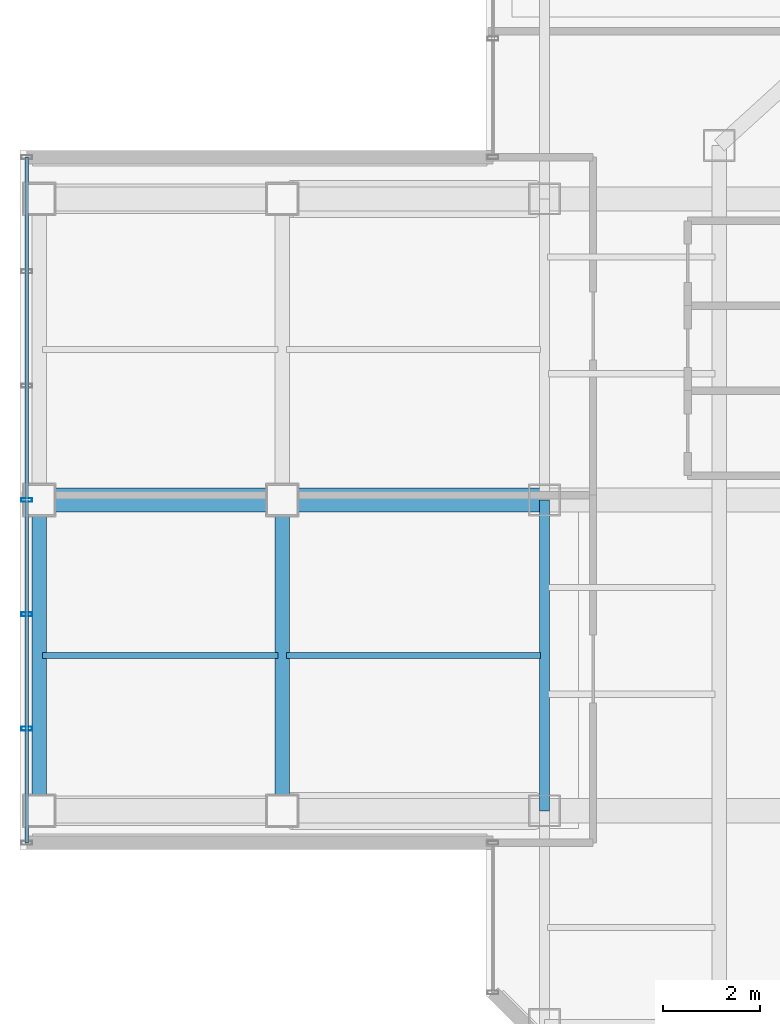
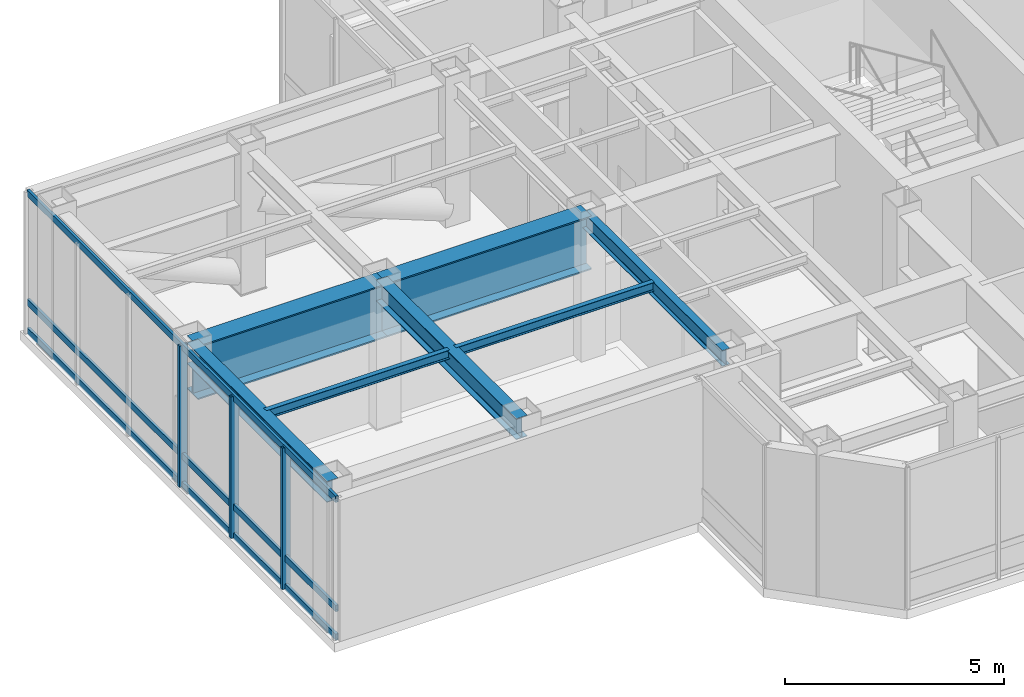
# One storey, part 5 of 22: 7 beams, 6 members, 1 element without a shape of its own.
"""IFC4 building model written with IfcOpenShell, lengths in metres."""

from ifc_helpers import new_model, si_unit, direction, frame, origin, origin_2d, place, context, subcontext, project, spatial, hollow_rectangle, i_section, extrude, material, layer, layer_set, material_profile, profile_set, type_object, element, aggregate, save


model = new_model("IFC4")

# Units and contexts
model_context = context("Model", 3, precision=1e-05, world=origin(), true_north=direction((0.0, 1.0)))
body_context = subcontext(model_context, "Body", "Model", "MODEL_VIEW")
ifc_project = project(units=[si_unit("LENGTHUNIT", "METRE"), si_unit("AREAUNIT", "SQUARE_METRE"), si_unit("VOLUMEUNIT", "CUBIC_METRE"), si_unit("PLANEANGLEUNIT", "RADIAN"), si_unit("MASSUNIT", "GRAM", prefix="KILO")], contexts=[model_context])

# Site, building, storey
site_placement = place(None, origin())
site = spatial("IfcSite", under=ifc_project, at=site_placement, CompositionType="ELEMENT")
building_placement = place(site_placement, origin())
building = spatial("IfcBuilding", under=site, at=building_placement, Name="Hatsunagi Terrace Concourse", CompositionType="ELEMENT")
storey_placement = place(building_placement, frame((0.0, 0.0, 257.550048828125)))
storey = spatial("IfcBuildingStorey", under=building, at=storey_placement, Name="L68", CompositionType="ELEMENT", Elevation=257.550048828125)

# Beams
ifc_material_1 = material(Name="Steel SN490B", Category="steel")
ifc_material_profile_1 = material_profile(ifc_material_1, i_section(OverallWidth=0.125, OverallDepth=0.25, WebThickness=0.006103515625, FlangeThickness=0.009033203125, FilletRadius=0.008056640625, at=origin_2d()), Name="H-250x125x6x9")
ifc_profile_set_1 = profile_set([ifc_material_profile_1], Name="Steel SN490B")
beam_type_1 = type_object("IfcBeamType", Name="CrownJoist_H_250x125", PredefinedType="JOIST", material=ifc_profile_set_1)
beam_1_placement = place(storey_placement, frame((19.114990234375, 32.800048828125, 3.824951171875), z_axis=(-1.0, 0.0, 0.0), x_axis=(0.0, -1.0, 0.0)))
element("IfcBeam", 1, at=beam_1_placement, inside=storey, type_object=beam_type_1, Name="Beam J-04 J-L68-SL1-328", PredefinedType="JOIST", context=body_context, shape_type="SweptSolid", body=[
    extrude(i_section(OverallWidth=0.125, OverallDepth=0.25, WebThickness=0.006103515625, FlangeThickness=0.009033203125, FilletRadius=0.008056640625, at=origin_2d()), origin(), (0.0, 0.0, 1.0), 5.22998046875),
])
beam_2_placement = place(storey_placement, frame((13.715087890625, 32.800048828125, 3.824951171875), z_axis=(-1.0, 0.0, 0.0), x_axis=(0.0, -1.0, 0.0)))
element("IfcBeam", 2, at=beam_2_placement, inside=storey, type_object=beam_type_1, Name="Beam J-04 J-L68-SL2-328", PredefinedType="JOIST", context=body_context, shape_type="SweptSolid", body=[
    extrude(i_section(OverallWidth=0.125, OverallDepth=0.25, WebThickness=0.006103515625, FlangeThickness=0.009033203125, FilletRadius=0.008056640625, at=origin_2d()), origin(), (0.0, 0.0, 1.0), 4.85009765625),
])

# Curtain wall, members
ifc_material_2 = material(Name="Anodised Aluminium Alloy 6063-T5", Category="aluminium")
ifc_layer = layer(ifc_material_2, 0.199951171875)
ifc_layer_set = layer_set([ifc_layer], Name="SkyLobbyAtrium_CW05")
curtain_wall_type = type_object("IfcCurtainWallType", Name="SkyLobbyAtrium_CW05", PredefinedType="NOTDEFINED", material=ifc_layer_set)
curtain_wall_placement = place(storey_placement, origin())
curtain_wall = element("IfcCurtainWall", 3, at=curtain_wall_placement, inside=storey, type_object=curtain_wall_type, Name="Unitised Curtain Wall CW-05 CW-L68-15", PredefinedType="NOTDEFINED")
ifc_material_3 = material(Name="Anodised Aluminium Alloy 6063-T5", Category="aluminium")
ifc_material_profile_2 = material_profile(ifc_material_3, hollow_rectangle(XDim=0.080078125, YDim=0.219970703125, WallThickness=0.0048828125, at=origin_2d()), Name="ALU-MUL-220x80x5")
ifc_profile_set_2 = profile_set([ifc_material_profile_2], Name="Anodised Aluminium Alloy 6063-T5")
member_type_1 = type_object("IfcMemberType", Name="CurtainWallMullion_Heavy_220x80", PredefinedType="MULLION", material=ifc_profile_set_2)
member_1_placement = place(storey_placement, frame((8.5400390625, 31.29296875, 0.0), z_axis=(0.0, 0.0, 1.0), x_axis=(0.0, 1.0, 0.0)))
member_1 = element("IfcMember", 4, at=member_1_placement, type_object=member_type_1, Name="Curtain Wall Mullion MUL-01", PredefinedType="MULLION", context=body_context, shape_type="SweptSolid", body=[
    extrude(hollow_rectangle(XDim=0.080078125, YDim=0.219970703125, WallThickness=0.0048828125, at=origin_2d()), origin(), (0.0, 0.0, 1.0), 3.949951171875),
])
member_2_placement = place(storey_placement, frame((8.5400390625, 33.64697265625, 0.0), z_axis=(0.0, 0.0, 1.0), x_axis=(0.0, 1.0, 0.0)))
member_2 = element("IfcMember", 5, at=member_2_placement, type_object=member_type_1, Name="Curtain Wall Mullion MUL-01", PredefinedType="MULLION", context=body_context, shape_type="SweptSolid", body=[
    extrude(hollow_rectangle(XDim=0.080078125, YDim=0.219970703125, WallThickness=0.0048828125, at=origin_2d()), origin(), (0.0, 0.0, 1.0), 3.949951171875),
])
member_3_placement = place(storey_placement, frame((8.5400390625, 36.0, 0.0), z_axis=(0.0, 0.0, 1.0), x_axis=(0.0, 1.0, 0.0)))
member_3 = element("IfcMember", 6, at=member_3_placement, type_object=member_type_1, Name="Curtain Wall Mullion MUL-01", PredefinedType="MULLION", context=body_context, shape_type="SweptSolid", body=[
    extrude(hollow_rectangle(XDim=0.080078125, YDim=0.219970703125, WallThickness=0.0048828125, at=origin_2d()), origin(), (0.0, 0.0, 1.0), 3.949951171875),
])
ifc_material_4 = material(Name="Anodised Aluminium Alloy 6063-T5", Category="aluminium")
ifc_material_profile_3 = material_profile(ifc_material_4, hollow_rectangle(XDim=0.070068359375, YDim=0.179931640625, WallThickness=0.00390625, at=origin_2d()), Name="ALU-TRN-180x70x4")
ifc_profile_set_3 = profile_set([ifc_material_profile_3], Name="Anodised Aluminium Alloy 6063-T5")
member_type_2 = type_object("IfcMemberType", Name="CurtainWallTransom_Heavy_180x70", PredefinedType="USERDEFINED", material=ifc_profile_set_3)
member_4_placement = place(storey_placement, frame((8.5400390625, 28.93994140625, 0.050048828125), z_axis=(0.0, 1.0, 0.0), x_axis=(-1.0, 0.0, 0.0)))
member_4 = element("IfcMember", 7, at=member_4_placement, type_object=member_type_2, Name="Curtain Wall Transom TRN-01", ObjectType="TRANSOM", PredefinedType="USERDEFINED", context=body_context, shape_type="SweptSolid", body=[
    extrude(hollow_rectangle(XDim=0.070068359375, YDim=0.179931640625, WallThickness=0.00390625, at=origin_2d()), origin(), (0.0, 0.0, 1.0), 14.1201171875),
])
member_5_placement = place(storey_placement, frame((8.5400390625, 28.93994140625, 0.849853515625), z_axis=(0.0, 1.0, 0.0), x_axis=(-1.0, 0.0, 0.0)))
member_5 = element("IfcMember", 8, at=member_5_placement, type_object=member_type_2, Name="Curtain Wall Transom TRN-01", ObjectType="TRANSOM", PredefinedType="USERDEFINED", context=body_context, shape_type="SweptSolid", body=[
    extrude(hollow_rectangle(XDim=0.070068359375, YDim=0.179931640625, WallThickness=0.00390625, at=origin_2d()), origin(), (0.0, 0.0, 1.0), 14.1201171875),
])
member_6_placement = place(storey_placement, frame((8.5400390625, 28.93994140625, 3.89990234375), z_axis=(0.0, 1.0, 0.0), x_axis=(-1.0, 0.0, 0.0)))
member_6 = element("IfcMember", 9, at=member_6_placement, type_object=member_type_2, Name="Curtain Wall Transom TRN-01", ObjectType="TRANSOM", PredefinedType="USERDEFINED", context=body_context, shape_type="SweptSolid", body=[
    extrude(hollow_rectangle(XDim=0.070068359375, YDim=0.179931640625, WallThickness=0.00390625, at=origin_2d()), origin(), (0.0, 0.0, 1.0), 14.1201171875),
])
aggregate(curtain_wall, [member_1, member_2, member_3, member_4, member_5, member_6])

# Beams
ifc_material_5 = material(Name="Steel SN490B", Category="steel")
ifc_material_profile_4 = material_profile(ifc_material_5, i_section(OverallWidth=0.300048828125, OverallDepth=0.587890625, WebThickness=0.011962890625, FlangeThickness=0.02001953125, FilletRadius=0.01806640625, at=origin_2d()), Name="H-588x300x12x20")
ifc_profile_set_4 = profile_set([ifc_material_profile_4], Name="Steel SN490B")
beam_type_2 = type_object("IfcBeamType", Name="OfficeHighGirder_H_588x300", PredefinedType="BEAM", material=ifc_profile_set_4)
for number, where, z_axis, x_axis, name in (
    (10, (13.800048828125, 29.60009765625, 3.656005859375), (0.0, 1.0, 0.0), (-1.0, 0.0, 0.0), "Beam G-06 SLT-L68-NS-1A"),
    (11, (8.800048828125, 29.60009765625, 3.656005859375), (0.0, 1.0, 0.0), (-1.0, 0.0, 0.0), "Beam G-06 SLT-L68-NS-2A"),
):
    element("IfcBeam", number, at=place(storey_placement, frame(where, z_axis=z_axis, x_axis=x_axis)), inside=storey, type_object=beam_type_2, Name=name, PredefinedType="BEAM", context=body_context, shape_type="SweptSolid", body=[
        extrude(i_section(OverallWidth=0.300048828125, OverallDepth=0.587890625, WebThickness=0.011962890625, FlangeThickness=0.02001953125, FilletRadius=0.01806640625, at=origin_2d()), origin(), (0.0, 0.0, 1.0), 6.39990234375),
    ])
ifc_material_6 = material(Name="Steel SN490B", Category="steel")
ifc_material_profile_5 = material_profile(ifc_material_6, i_section(OverallWidth=0.199951171875, OverallDepth=0.449951171875, WebThickness=0.009033203125, FlangeThickness=0.013916015625, FilletRadius=0.01611328125, at=origin_2d()), Name="H-450x200x9x14")
ifc_profile_set_5 = profile_set([ifc_material_profile_5], Name="Steel SN490B")
beam_type_3 = type_object("IfcBeamType", Name="PerimeterSpandrel_H_450x200", PredefinedType="SPANDREL", material=ifc_profile_set_5)
beam_3_placement = place(storey_placement, frame((19.199951171875, 29.60009765625, 3.724853515625), z_axis=(0.0, 1.0, 0.0), x_axis=(-1.0, 0.0, 0.0)))
element("IfcBeam", 12, at=beam_3_placement, inside=storey, type_object=beam_type_3, Name="Beam SP-02 BM-L68-NS-19-29", PredefinedType="SPANDREL", context=body_context, shape_type="SweptSolid", body=[
    extrude(i_section(OverallWidth=0.199951171875, OverallDepth=0.449951171875, WebThickness=0.009033203125, FlangeThickness=0.013916015625, FilletRadius=0.01611328125, at=origin_2d()), origin(), (0.0, 0.0, 1.0), 6.39990234375),
])
ifc_material_7 = material(Name="Steel SN490C", Category="steel")
ifc_material_profile_6 = material_profile(ifc_material_7, i_section(OverallWidth=0.5, OverallDepth=1.5, WebThickness=0.028076171875, FlangeThickness=0.0380859375, at=origin_2d()), Name="BH-1500x500x28x38")
ifc_profile_set_6 = profile_set([ifc_material_profile_6], Name="Steel SN490C")
beam_type_4 = type_object("IfcBeamType", Name="SkyLoungeTrussGirder_BH_1500x500x28x38", PredefinedType="USERDEFINED", material=ifc_profile_set_6)
beam_4_placement = place(storey_placement, frame((19.199951171875, 36.0, 3.199951171875), z_axis=(-1.0, 0.0, 0.0), x_axis=(0.0, -1.0, 0.0)))
element("IfcBeam", 13, at=beam_4_placement, inside=storey, type_object=beam_type_4, Name="Transfer girder SLT-01 SLT-L68-C1-2", ObjectType="TRANSFER_GIRDER", PredefinedType="USERDEFINED", context=body_context, shape_type="SweptSolid", body=[
    extrude(i_section(OverallWidth=0.5, OverallDepth=1.5, WebThickness=0.028076171875, FlangeThickness=0.0380859375, at=origin_2d()), origin(), (0.0, 0.0, 1.0), 5.39990234375),
])
beam_5_placement = place(storey_placement, frame((13.800048828125, 36.0, 3.199951171875), z_axis=(-1.0, 0.0, 0.0), x_axis=(0.0, -1.0, 0.0)))
element("IfcBeam", 14, at=beam_5_placement, inside=storey, type_object=beam_type_4, Name="Transfer girder SLT-01 SLT-L68-C2-2", ObjectType="TRANSFER_GIRDER", PredefinedType="USERDEFINED", context=body_context, shape_type="SweptSolid", body=[
    extrude(i_section(OverallWidth=0.5, OverallDepth=1.5, WebThickness=0.028076171875, FlangeThickness=0.0380859375, at=origin_2d()), origin(), (0.0, 0.0, 1.0), 5.0),
])

save(model, "model.ifc")
